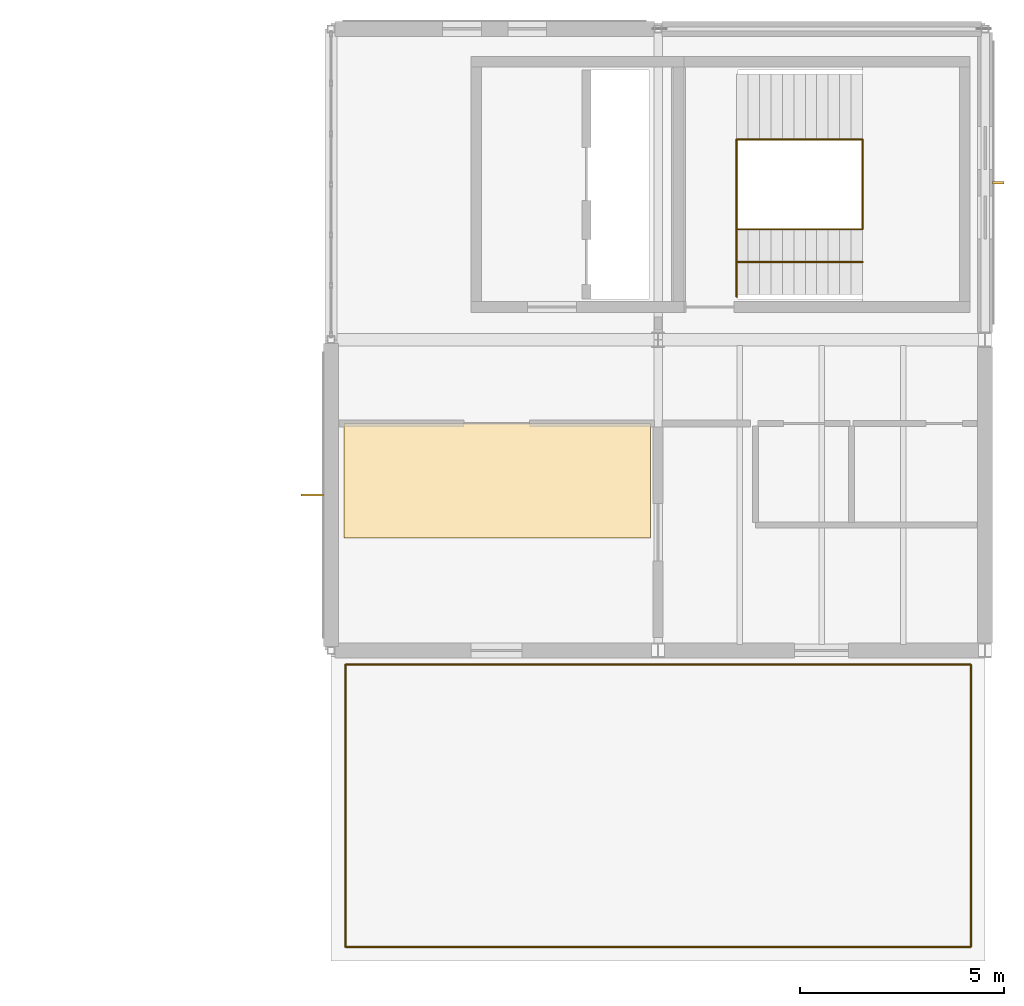
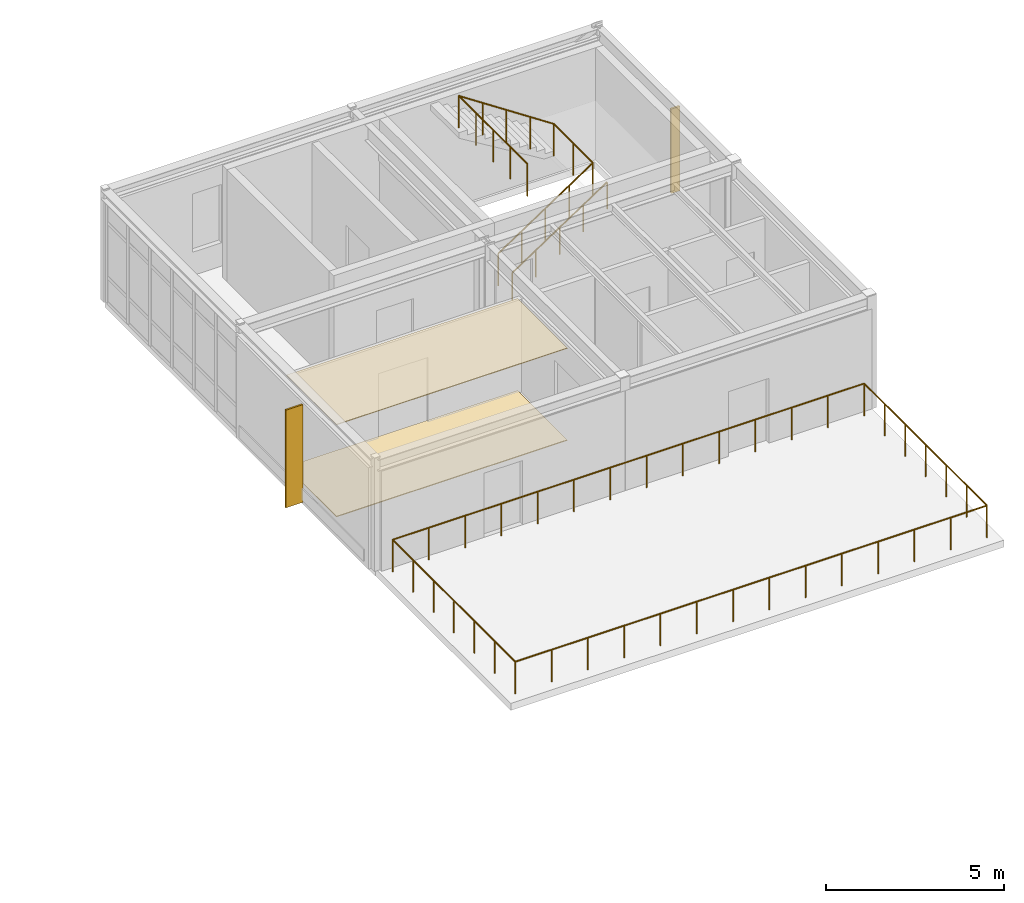
# One storey, part 26 of 26: 3 railings, 2 coverings, 2 shading devices.
"""IFC4 building model written with IfcOpenShell, lengths in metres."""

from ifc_helpers import new_model, si_unit, direction, frame, origin, origin_2d, place, context, subcontext, project, spatial, polyline, rectangle, circle, outline, extrude, material, layer, layer_set, type_object, element, save


model = new_model("IFC4")

# Units and contexts
model_context = context("Model", 3, precision=1e-05, world=origin(), true_north=direction((0.0, 1.0)))
body_context = subcontext(model_context, "Body", "Model", "MODEL_VIEW")
ifc_project = project(units=[si_unit("LENGTHUNIT", "METRE"), si_unit("AREAUNIT", "SQUARE_METRE"), si_unit("VOLUMEUNIT", "CUBIC_METRE"), si_unit("PLANEANGLEUNIT", "RADIAN"), si_unit("MASSUNIT", "GRAM", prefix="KILO")], contexts=[model_context])

# Site, building, storey
site_placement = place(None, origin())
site = spatial("IfcSite", under=ifc_project, at=site_placement, CompositionType="ELEMENT")
building_placement = place(site_placement, origin())
building = spatial("IfcBuilding", under=site, at=building_placement, Name="Montecoro Central Library", CompositionType="ELEMENT")
storey_placement = place(building_placement, frame((0.0, 0.0, 21.419921875)))
storey = spatial("IfcBuildingStorey", under=building, at=storey_placement, Name="L05", CompositionType="ELEMENT", Elevation=21.419921875)

# Coverings
ifc_material_1 = material(Name="Acoustic perforated mineral ceiling")
ifc_layer_1 = layer(ifc_material_1, 0.02490234375)
ifc_layer_set_1 = layer_set([ifc_layer_1], Name="Acoustic perforated mineral ceiling")
covering_type_1 = type_object("IfcCoveringType", Name="COV-CLG-01", PredefinedType="CEILING", material=ifc_layer_set_1)
covering_1_placement = place(storey_placement, frame((0.0, 0.0, 3.155029296875)))
element("IfcCovering", 1, at=covering_1_placement, inside=storey, type_object=covering_type_1, Name="CLG-SP-V5-L05-R1P1", PredefinedType="CEILING", context=body_context, shape_type="SweptSolid", body=[
    extrude(outline(polyline([(141.320068359375, 106.550048828125), (148.81005859375, 106.550048828125), (148.81005859375, 109.35009765625), (141.320068359375, 109.35009765625), (141.320068359375, 106.550048828125)])), origin(), (0.0, 0.0, 1.0), 0.025146484375),
])
ifc_material_2 = material(Name="Neapolitan brass-inlaid terrazzo flooring")
ifc_layer_2 = layer(ifc_material_2, 0.028076171875)
ifc_layer_set_2 = layer_set([ifc_layer_2], Name="Neapolitan brass-inlaid terrazzo flooring")
covering_type_2 = type_object("IfcCoveringType", Name="COV-FLR-01", PredefinedType="FLOORING", material=ifc_layer_set_2)
covering_2_placement = place(storey_placement, origin())
element("IfcCovering", 2, at=covering_2_placement, inside=storey, type_object=covering_type_2, Name="FLR-SP-V5-L05-R1P1", PredefinedType="FLOORING", context=body_context, shape_type="SweptSolid", body=[
    extrude(outline(polyline([(141.320068359375, 106.550048828125), (148.81005859375, 106.550048828125), (148.81005859375, 109.35009765625), (141.320068359375, 109.35009765625), (141.320068359375, 106.550048828125)])), origin(), (0.0, 0.0, 1.0), 0.028076171875),
])

# Railings
ifc_material_3 = material(Name="Architectural bronze and laminated safety balustrade", Category="aluminium")
railing_type_1 = type_object("IfcRailingType", Name="GRD-EXT-110", PredefinedType="GUARDRAIL", material=ifc_material_3)
railing_1_placement = place(storey_placement, frame((141.35009765625, 96.550048828125, 0.0)))
element("IfcRailing", 3, at=railing_1_placement, inside=storey, type_object=railing_type_1, Name="V5-L05-TGRD-1", PredefinedType="GUARDRAIL", context=body_context, shape_type="SweptSolid", body=[
    extrude(circle(Radius=0.02392578125, at=origin_2d()), frame((0.0, 0.0, 1.09619140625), z_axis=(1.0, 0.0, 0.0), x_axis=(0.0, 1.0, 0.0)), (0.0, 0.0, 1.0), 15.2998046875),
    extrude(circle(Radius=0.02392578125, at=origin_2d()), frame((15.2998046875, 0.0, 1.09619140625), z_axis=(0.0, 1.0, 0.0), x_axis=(-1.0, 0.0, 0.0)), (0.0, 0.0, 1.0), 6.89990234375),
    extrude(circle(Radius=0.02392578125, at=origin_2d()), frame((15.2998046875, 6.89990234375, 1.09619140625), z_axis=(-1.0, 0.0, 0.0), x_axis=(0.0, -1.0, 0.0)), (0.0, 0.0, 1.0), 15.2998046875),
    extrude(circle(Radius=0.02392578125, at=origin_2d()), frame((0.0, 6.89990234375, 1.09619140625), z_axis=(0.0, -1.0, 0.0), x_axis=(1.0, 0.0, 0.0)), (0.0, 0.0, 1.0), 6.89990234375),
    extrude(circle(Radius=0.02099609375, at=origin_2d()), origin(), (0.0, 0.0, 1.0), 1.072021484375),
    extrude(circle(Radius=0.02099609375, at=origin_2d()), frame((1.177001953125, 0.0, 0.0)), (0.0, 0.0, 1.0), 1.072021484375),
    extrude(circle(Radius=0.02099609375, at=origin_2d()), frame((2.353759765625, 0.0, 0.0)), (0.0, 0.0, 1.0), 1.072021484375),
    extrude(circle(Radius=0.02099609375, at=origin_2d()), frame((3.53076171875, 0.0, 0.0)), (0.0, 0.0, 1.0), 1.072021484375),
    extrude(circle(Radius=0.02099609375, at=origin_2d()), frame((4.70751953125, 0.0, 0.0)), (0.0, 0.0, 1.0), 1.072021484375),
    extrude(circle(Radius=0.02099609375, at=origin_2d()), frame((5.884521484375, 0.0, 0.0)), (0.0, 0.0, 1.0), 1.072021484375),
    extrude(circle(Radius=0.02099609375, at=origin_2d()), frame((7.0615234375, 0.0, 0.0)), (0.0, 0.0, 1.0), 1.072021484375),
    extrude(circle(Radius=0.02099609375, at=origin_2d()), frame((8.23828125, 0.0, 0.0)), (0.0, 0.0, 1.0), 1.072021484375),
    extrude(circle(Radius=0.02099609375, at=origin_2d()), frame((9.415283203125, 0.0, 0.0)), (0.0, 0.0, 1.0), 1.072021484375),
    extrude(circle(Radius=0.02099609375, at=origin_2d()), frame((10.59228515625, 0.0, 0.0)), (0.0, 0.0, 1.0), 1.072021484375),
    extrude(circle(Radius=0.02099609375, at=origin_2d()), frame((11.76904296875, 0.0, 0.0)), (0.0, 0.0, 1.0), 1.072021484375),
    extrude(circle(Radius=0.02099609375, at=origin_2d()), frame((12.946044921875, 0.0, 0.0)), (0.0, 0.0, 1.0), 1.072021484375),
    extrude(circle(Radius=0.02099609375, at=origin_2d()), frame((14.122802734375, 0.0, 0.0)), (0.0, 0.0, 1.0), 1.072021484375),
    extrude(circle(Radius=0.02099609375, at=origin_2d()), frame((15.2998046875, 0.0, 0.0)), (0.0, 0.0, 1.0), 1.072021484375),
    extrude(circle(Radius=0.02099609375, at=origin_2d()), frame((15.2998046875, 1.14990234375, 0.0)), (0.0, 0.0, 1.0), 1.072021484375),
    extrude(circle(Radius=0.02099609375, at=origin_2d()), frame((15.2998046875, 2.300048828125, 0.0)), (0.0, 0.0, 1.0), 1.072021484375),
    extrude(circle(Radius=0.02099609375, at=origin_2d()), frame((15.2998046875, 3.449951171875, 0.0)), (0.0, 0.0, 1.0), 1.072021484375),
    extrude(circle(Radius=0.02099609375, at=origin_2d()), frame((15.2998046875, 4.599853515625, 0.0)), (0.0, 0.0, 1.0), 1.072021484375),
    extrude(circle(Radius=0.02099609375, at=origin_2d()), frame((15.2998046875, 5.75, 0.0)), (0.0, 0.0, 1.0), 1.072021484375),
    extrude(circle(Radius=0.02099609375, at=origin_2d()), frame((15.2998046875, 6.89990234375, 0.0)), (0.0, 0.0, 1.0), 1.072021484375),
    extrude(circle(Radius=0.02099609375, at=origin_2d()), frame((14.122802734375, 6.89990234375, 0.0)), (0.0, 0.0, 1.0), 1.072021484375),
    extrude(circle(Radius=0.02099609375, at=origin_2d()), frame((12.946044921875, 6.89990234375, 0.0)), (0.0, 0.0, 1.0), 1.072021484375),
    extrude(circle(Radius=0.02099609375, at=origin_2d()), frame((11.76904296875, 6.89990234375, 0.0)), (0.0, 0.0, 1.0), 1.072021484375),
    extrude(circle(Radius=0.02099609375, at=origin_2d()), frame((10.59228515625, 6.89990234375, 0.0)), (0.0, 0.0, 1.0), 1.072021484375),
    extrude(circle(Radius=0.02099609375, at=origin_2d()), frame((9.415283203125, 6.89990234375, 0.0)), (0.0, 0.0, 1.0), 1.072021484375),
    extrude(circle(Radius=0.02099609375, at=origin_2d()), frame((8.23828125, 6.89990234375, 0.0)), (0.0, 0.0, 1.0), 1.072021484375),
    extrude(circle(Radius=0.02099609375, at=origin_2d()), frame((7.0615234375, 6.89990234375, 0.0)), (0.0, 0.0, 1.0), 1.072021484375),
    extrude(circle(Radius=0.02099609375, at=origin_2d()), frame((5.884521484375, 6.89990234375, 0.0)), (0.0, 0.0, 1.0), 1.072021484375),
    extrude(circle(Radius=0.02099609375, at=origin_2d()), frame((4.70751953125, 6.89990234375, 0.0)), (0.0, 0.0, 1.0), 1.072021484375),
    extrude(circle(Radius=0.02099609375, at=origin_2d()), frame((3.53076171875, 6.89990234375, 0.0)), (0.0, 0.0, 1.0), 1.072021484375),
    extrude(circle(Radius=0.02099609375, at=origin_2d()), frame((2.353759765625, 6.89990234375, 0.0)), (0.0, 0.0, 1.0), 1.072021484375),
    extrude(circle(Radius=0.02099609375, at=origin_2d()), frame((1.177001953125, 6.89990234375, 0.0)), (0.0, 0.0, 1.0), 1.072021484375),
    extrude(circle(Radius=0.02099609375, at=origin_2d()), frame((0.0, 6.89990234375, 0.0)), (0.0, 0.0, 1.0), 1.072021484375),
    extrude(circle(Radius=0.02099609375, at=origin_2d()), frame((0.0, 5.75, 0.0)), (0.0, 0.0, 1.0), 1.072021484375),
    extrude(circle(Radius=0.02099609375, at=origin_2d()), frame((0.0, 4.599853515625, 0.0)), (0.0, 0.0, 1.0), 1.072021484375),
    extrude(circle(Radius=0.02099609375, at=origin_2d()), frame((0.0, 3.449951171875, 0.0)), (0.0, 0.0, 1.0), 1.072021484375),
    extrude(circle(Radius=0.02099609375, at=origin_2d()), frame((0.0, 2.300048828125, 0.0)), (0.0, 0.0, 1.0), 1.072021484375),
    extrude(circle(Radius=0.02099609375, at=origin_2d()), frame((0.0, 1.14990234375, 0.0)), (0.0, 0.0, 1.0), 1.072021484375),
])
ifc_material_4 = material(Name="Brushed stainless steel and bronze balustrade", Category="steel")
railing_type_2 = type_object("IfcRailingType", Name="GRD-INT-110", PredefinedType="GUARDRAIL", material=ifc_material_4)
railing_2_placement = place(storey_placement, frame((150.919921875, 114.10009765625, 0.0)))
element("IfcRailing", 4, at=railing_2_placement, inside=storey, type_object=railing_type_2, Name="C6-L05-STR-GRD", PredefinedType="GUARDRAIL", context=body_context, shape_type="SweptSolid", body=[
    extrude(circle(Radius=0.02392578125, at=origin_2d()), frame((0.0, 0.0, 1.09619140625), z_axis=(0.833713881912, 0.0, 0.552196670677), x_axis=(0.0, 1.0, 0.0)), (0.0, 0.0, 1.0), 3.6943359375),
    extrude(circle(Radius=0.02392578125, at=origin_2d()), frame((3.080078125, 0.0, 3.13623046875), z_axis=(0.0, 1.0, 0.0), x_axis=(-1.0, 0.0, 0.0)), (0.0, 0.0, 1.0), 2.199951171875),
    extrude(circle(Radius=0.02392578125, at=origin_2d()), frame((3.080078125, 2.199951171875, 3.13623046875), z_axis=(-0.833713881912, 0.0, 0.552196670677), x_axis=(0.0, -1.0, 0.0)), (0.0, 0.0, 1.0), 3.6943359375),
    extrude(circle(Radius=0.02392578125, at=origin_2d()), frame((0.0, 2.199951171875, 5.17626953125), z_axis=(0.0, -1.0, 0.0), x_axis=(1.0, 0.0, 0.0)), (0.0, 0.0, 1.0), 3.85009765625),
    extrude(circle(Radius=0.02099609375, at=origin_2d()), origin(), (0.0, 0.0, 1.0), 1.072021484375),
    extrude(circle(Radius=0.02099609375, at=origin_2d()), frame((0.77001953125, 0.0, 0.510009765625)), (0.0, 0.0, 1.0), 1.072021484375),
    extrude(circle(Radius=0.02099609375, at=origin_2d()), frame((1.5400390625, 0.0, 1.02001953125)), (0.0, 0.0, 1.0), 1.072021484375),
    extrude(circle(Radius=0.02099609375, at=origin_2d()), frame((2.31005859375, 0.0, 1.530029296875)), (0.0, 0.0, 1.0), 1.072021484375),
    extrude(circle(Radius=0.02099609375, at=origin_2d()), frame((3.080078125, 0.0, 2.0400390625)), (0.0, 0.0, 1.0), 1.072021484375),
    extrude(circle(Radius=0.02099609375, at=origin_2d()), frame((3.080078125, 1.10009765625, 2.0400390625)), (0.0, 0.0, 1.0), 1.072021484375),
    extrude(circle(Radius=0.02099609375, at=origin_2d()), frame((3.080078125, 2.199951171875, 2.0400390625)), (0.0, 0.0, 1.0), 1.072021484375),
    extrude(circle(Radius=0.02099609375, at=origin_2d()), frame((2.31005859375, 2.199951171875, 2.550048828125)), (0.0, 0.0, 1.0), 1.072021484375),
    extrude(circle(Radius=0.02099609375, at=origin_2d()), frame((1.5400390625, 2.199951171875, 3.06005859375)), (0.0, 0.0, 1.0), 1.072021484375),
    extrude(circle(Radius=0.02099609375, at=origin_2d()), frame((0.77001953125, 2.199951171875, 3.570068359375)), (0.0, 0.0, 1.0), 1.072021484375),
    extrude(circle(Radius=0.02099609375, at=origin_2d()), frame((0.0, 2.199951171875, 4.080078125)), (0.0, 0.0, 1.0), 1.072021484375),
    extrude(circle(Radius=0.02099609375, at=origin_2d()), frame((0.0, 1.2373046875, 4.080078125)), (0.0, 0.0, 1.0), 1.072021484375),
    extrude(circle(Radius=0.02099609375, at=origin_2d()), frame((0.0, 0.27490234375, 4.080078125)), (0.0, 0.0, 1.0), 1.072021484375),
    extrude(circle(Radius=0.02099609375, at=origin_2d()), frame((0.0, -0.6875, 4.080078125)), (0.0, 0.0, 1.0), 1.072021484375),
    extrude(circle(Radius=0.02099609375, at=origin_2d()), frame((0.0, -1.650146484375, 4.080078125)), (0.0, 0.0, 1.0), 1.072021484375),
])
ifc_material_5 = material(Name="Brushed architectural bronze handrail")
railing_type_3 = type_object("IfcRailingType", Name="HRL-STR-095", PredefinedType="HANDRAIL", material=ifc_material_5)
railing_3_placement = place(storey_placement, frame((150.919921875, 113.300048828125, 0.0)))
element("IfcRailing", 5, at=railing_3_placement, inside=storey, type_object=railing_type_3, Name="C6-L05-STR-HR1", PredefinedType="HANDRAIL", context=body_context, shape_type="SweptSolid", body=[
    extrude(circle(Radius=0.02392578125, at=origin_2d()), frame((0.0, 0.0, 0.92578125), z_axis=(0.833713881912, 0.0, 0.552196670677), x_axis=(0.0, 1.0, 0.0)), (0.0, 0.0, 1.0), 3.6943359375),
    extrude(circle(Radius=0.02099609375, at=origin_2d()), origin(), (0.0, 0.0, 1.0), 0.90185546875),
    extrude(circle(Radius=0.02099609375, at=origin_2d()), frame((0.77001953125, 0.0, 0.510009765625)), (0.0, 0.0, 1.0), 0.90185546875),
    extrude(circle(Radius=0.02099609375, at=origin_2d()), frame((1.5400390625, 0.0, 1.02001953125)), (0.0, 0.0, 1.0), 0.90185546875),
    extrude(circle(Radius=0.02099609375, at=origin_2d()), frame((2.31005859375, 0.0, 1.530029296875)), (0.0, 0.0, 1.0), 0.90185546875),
    extrude(circle(Radius=0.02099609375, at=origin_2d()), frame((3.080078125, 0.0, 2.0400390625)), (0.0, 0.0, 1.0), 0.90185546875),
])

# Shading devices
ifc_material_6 = material(Name="Architectural bronze solar fin", Category="aluminium")
shading_device_type_1 = type_object("IfcShadingDeviceType", Name="SHD-FIN-01", PredefinedType="USERDEFINED", material=ifc_material_6)
shading_device_1_placement = place(storey_placement, frame((157.320556640625, 115.242431640625, 0.2900390625), z_axis=(0.0, 0.0, 1.0), x_axis=(0.0, 1.0, 0.0)))
element("IfcShadingDevice", 6, at=shading_device_1_placement, inside=storey, type_object=shading_device_type_1, Name="V5-L05-FIN-E1", ObjectType="SOLAR FIN", PredefinedType="USERDEFINED", context=body_context, shape_type="SweptSolid", body=[
    extrude(rectangle(XDim=0.06005859375, YDim=0.280029296875, at=origin_2d()), origin(), (0.0, 0.0, 1.0), 2.89990234375),
])
shading_device_type_2 = type_object("IfcShadingDeviceType", Name="SHD-FIN-18", PredefinedType="USERDEFINED", material=ifc_material_6)
shading_device_2_placement = place(storey_placement, frame((140.54443359375, 107.60009765625, 0.06494140625), z_axis=(0.0, 0.0, 1.0), x_axis=(0.0, -1.0, 0.0)))
element("IfcShadingDevice", 7, at=shading_device_2_placement, inside=storey, type_object=shading_device_type_2, Name="V5-L05-FIN-W0", ObjectType="SOLAR FIN", PredefinedType="USERDEFINED", context=body_context, shape_type="SweptSolid", body=[
    extrude(rectangle(XDim=0.06005859375, YDim=0.550048828125, at=origin_2d()), origin(), (0.0, 0.0, 1.0), 3.35009765625),
])

save(model, "model.ifc")
